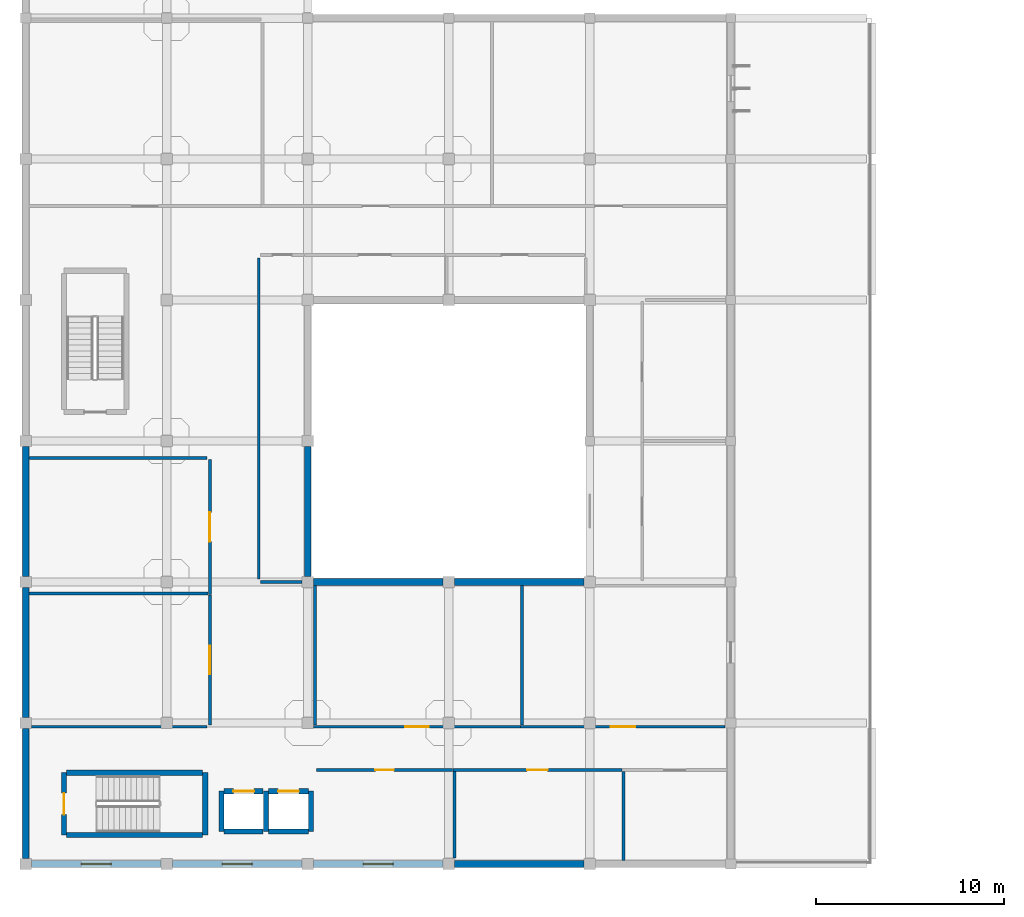
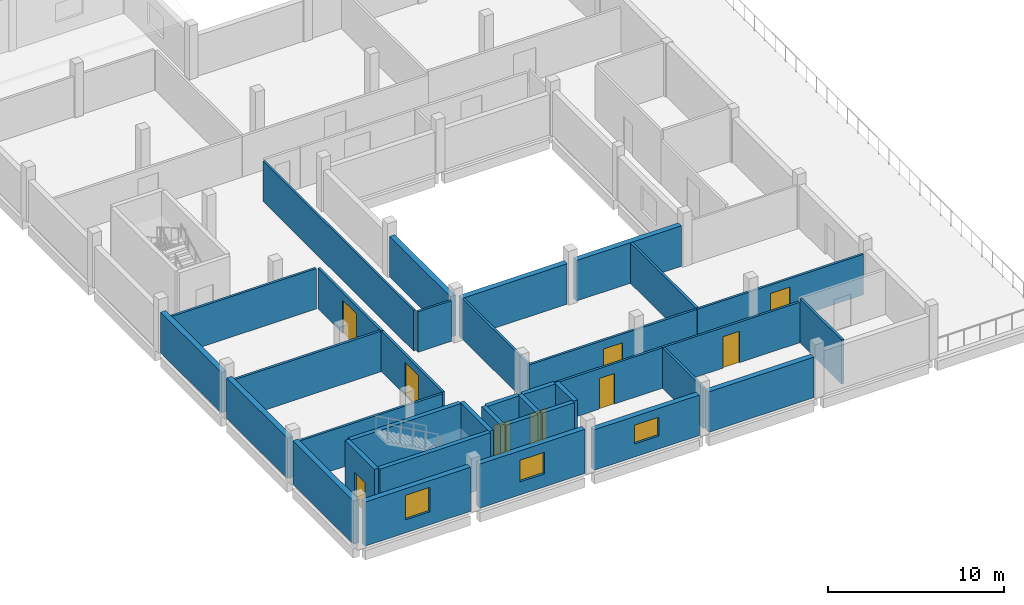
# One storey, part 5 of 21: 36 walls, 9 doors, 3 windows, 12 openings.
"""IFC4 building model written with IfcOpenShell, lengths in metres."""

import ifcopenshell
import ifcopenshell.guid

model = None  # the IFC model being written
_history = None  # IfcOwnerHistory: only IFC2X3 demands one
_inside = {}  # id of a spatial element -> (the spatial element, [elements in it])
_under = {}  # id of a project, library or spatial element -> (it, [spatial elements below it])
_declared = {}  # id of a project -> (the project, [libraries it declares])
_typed = {}  # id of a type object -> (the type object, [elements of that type])
_made_of = {}  # id of a material, layer set ... -> (it, [elements and type objects made of it])


def new_model(schema):
    """Start an empty IFC model of exactly this schema.

    Asked for "IFC4X3", IfcOpenShell would pick the latest addendum, in which some entities
    have other attributes; the version numbers below select the first issue.
    IFC2X3 requires an IfcOwnerHistory on every rooted entity: one is made here for all.
    """
    global model, _history
    if schema == "IFC4X3":
        model = ifcopenshell.file(schema_version=(4, 3, 0, 0))
    else:
        model = ifcopenshell.file(schema=schema)
    _inside.clear()
    _under.clear()
    _declared.clear()
    _typed.clear()
    _made_of.clear()
    _history = None
    if model.schema == "IFC2X3":
        org = make("IfcOrganization", Name="unknown")
        user = make(
            "IfcPersonAndOrganization",
            ThePerson=make("IfcPerson", FamilyName="unknown"),
            TheOrganization=org,
        )
        app = make(
            "IfcApplication",
            ApplicationDeveloper=org,
            Version="unknown",
            ApplicationFullName="unknown",
            ApplicationIdentifier="unknown",
        )
        _history = make(
            "IfcOwnerHistory",
            OwningUser=user,
            OwningApplication=app,
            ChangeAction="ADDED",
            CreationDate=0,
        )
    return model


def make(cls, **values):
    """One entity of the class cls with the attributes given. An attribute that is None is left unset."""
    return model.create_entity(
        cls, **{name: value for name, value in values.items() if value is not None}
    )


def rooted(cls, **values):
    """An entity with a GlobalId (a new one), such as an element, a storey or a relation."""
    return make(cls, GlobalId=ifcopenshell.guid.new(), OwnerHistory=_history, **values)


def si_unit(unit_type, name, prefix=None):
    """IfcSIUnit, for example si_unit("LENGTHUNIT", "METRE", prefix="MILLI")."""
    return make("IfcSIUnit", UnitType=unit_type, Prefix=prefix, Name=name)


def assignment(units):
    """IfcUnitAssignment: the units of a project."""
    return None if units is None else make("IfcUnitAssignment", Units=units)


def point(xyz):
    """IfcCartesianPoint."""
    return None if xyz is None else make("IfcCartesianPoint", Coordinates=xyz)


def direction(xyz):
    """IfcDirection."""
    return None if xyz is None else make("IfcDirection", DirectionRatios=xyz)


def frame(location, z_axis=None, x_axis=None):
    """IfcAxis2Placement3D, a coordinate frame: its origin and axes. An axis left out is left unset."""
    return make(
        "IfcAxis2Placement3D",
        Location=point(location),
        Axis=direction(z_axis),
        RefDirection=direction(x_axis),
    )


def frame_2d(location, x_axis=None):
    """IfcAxis2Placement2D, a coordinate frame in the plane: its origin and x axis."""
    return make(
        "IfcAxis2Placement2D", Location=point(location), RefDirection=direction(x_axis)
    )


def origin():
    """The frame at (0, 0, 0) with its axes left unset."""
    return frame((0.0, 0.0, 0.0))


def place(relative_to, where):
    """IfcLocalPlacement: puts the frame where relative to a parent placement (None: the world)."""
    return make(
        "IfcLocalPlacement", PlacementRelTo=relative_to, RelativePlacement=where
    )


def context(
    kind, dimensions, precision=None, world=None, true_north=None, identifier=None
):
    """IfcGeometricRepresentationContext, for example the 3D "Model" context."""
    return make(
        "IfcGeometricRepresentationContext",
        ContextIdentifier=identifier,
        ContextType=kind,
        CoordinateSpaceDimension=dimensions,
        Precision=precision,
        WorldCoordinateSystem=world,
        TrueNorth=true_north,
    )


def subcontext(parent, identifier, kind, view, scale=None):
    """IfcGeometricRepresentationSubContext, for example "Body" below "Model"."""
    return make(
        "IfcGeometricRepresentationSubContext",
        ContextIdentifier=identifier,
        ContextType=kind,
        ParentContext=parent,
        TargetScale=scale,
        TargetView=view,
    )


def project(units=None, contexts=None):
    """IfcProject with its units and contexts."""
    return rooted(
        "IfcProject",
        Name="project",
        RepresentationContexts=contexts,
        UnitsInContext=assignment(units),
    )


def spatial(cls, under=None, at=None, **own):
    """A site, building, storey or space (cls), placed at a placement, below another one or the project."""
    s = rooted(cls, ObjectPlacement=at, **own)
    if under is not None:
        _under.setdefault(under.id(), (under, []))[1].append(s)
    return s


def profile(cls, at=None, kind="AREA", **sizes):
    """A parametric profile (cls). Its sizes go by their IFC names, for example OverallWidth=200.0."""
    return make(cls, ProfileType=kind, Position=at, **sizes)


def rectangle(**sizes):
    """IfcRectangleProfileDef."""
    return profile("IfcRectangleProfileDef", **sizes)


def extrude(swept, where, along, depth):
    """IfcExtrudedAreaSolid: the profile swept, set in the frame where, extruded along a direction by depth."""
    return make(
        "IfcExtrudedAreaSolid",
        SweptArea=swept,
        Position=where,
        ExtrudedDirection=direction(along),
        Depth=depth,
    )


def shape(context_of_items, identifier, shape_type, items):
    """IfcShapeRepresentation: the items that make up one representation, for example the "Body"."""
    return make(
        "IfcShapeRepresentation",
        ContextOfItems=context_of_items,
        RepresentationIdentifier=identifier,
        RepresentationType=shape_type,
        Items=items,
    )


def material(Name=None, Category=None):
    """IfcMaterial."""
    return make("IfcMaterial", Name=Name, Category=Category)


def layer(
    of_material, thickness, ventilated=None, Name=None, Category=None, Priority=None
):
    """IfcMaterialLayer: one layer of a wall or slab, of a material (None: an air gap)."""
    return make(
        "IfcMaterialLayer",
        Material=of_material,
        LayerThickness=thickness,
        IsVentilated=ventilated,
        Name=Name,
        Category=Category,
        Priority=Priority,
    )


def layer_set(layers, Name=None):
    """IfcMaterialLayerSet."""
    return make("IfcMaterialLayerSet", MaterialLayers=layers, LayerSetName=Name)


def made_of(thing, what):
    """Note that an element or type object is made of a material, layer set ...; save() writes the relation."""
    if what is not None:
        _made_of.setdefault(what.id(), (what, []))[1].append(thing)
    return thing


def type_object(cls, material=None, **own):
    """A type object (cls), such as IfcWallType, which elements share."""
    return made_of(rooted(cls, **own), material)


def element(
    cls,
    number,
    at=None,
    inside=None,
    cuts=None,
    type_object=None,
    material=None,
    context=None,
    identifier="Body",
    shape_type=None,
    held_by="IfcProductDefinitionShape",
    body=None,
    shapes=None,
    **own,
):
    """One element of the class cls, such as IfcWall. Its Tag is "e" and its number.

    at: its placement. inside: the storey or other place that contains it. cuts: it is an
    opening in that element (IfcRelVoidsElement). A single representation is given by context,
    identifier, shape_type and body (its items); several are given by shapes. held_by: the class
    of the entity that holds the representations. save() writes the other relations.
    """
    e = rooted(cls, Tag="e%d" % number, ObjectPlacement=at, **own)
    if body is not None:
        shapes = [shape(context, identifier, shape_type, body)]
    if shapes is not None:
        e.Representation = make(held_by, Representations=shapes)
    if inside is not None:
        _inside.setdefault(inside.id(), (inside, []))[1].append(e)
    if cuts is not None:
        rooted(
            "IfcRelVoidsElement", RelatingBuildingElement=cuts, RelatedOpeningElement=e
        )
    if type_object is not None:
        _typed.setdefault(type_object.id(), (type_object, []))[1].append(e)
    return made_of(e, material)


def fill(opening, filler):
    """IfcRelFillsElement: the door or window that sits in an opening."""
    return rooted(
        "IfcRelFillsElement",
        RelatingOpeningElement=opening,
        RelatedBuildingElement=filler,
    )


def aggregate(whole, parts):
    """IfcRelAggregates: a whole, such as a stair, and the parts it consists of."""
    return rooted("IfcRelAggregates", RelatingObject=whole, RelatedObjects=parts)


def save(model, path):
    """Write the relations noted so far, then the file.

    IfcRelAggregates (storeys below a building ...), IfcRelContainedInSpatialStructure (elements
    in a storey), IfcRelDefinesByType, IfcRelAssociatesMaterial and IfcRelDeclares: one each for
    every whole, place, type object, material and project.
    """
    for whole, parts in _under.values():
        aggregate(whole, parts)
    for where, things in _inside.values():
        rooted(
            "IfcRelContainedInSpatialStructure",
            RelatedElements=things,
            RelatingStructure=where,
        )
    for kind, things in _typed.values():
        rooted("IfcRelDefinesByType", RelatedObjects=things, RelatingType=kind)
    for what, things in _made_of.values():
        rooted("IfcRelAssociatesMaterial", RelatedObjects=things, RelatingMaterial=what)
    for by, libraries in _declared.values():
        rooted("IfcRelDeclares", RelatingContext=by, RelatedDefinitions=libraries)
    model.write(path)


model = new_model("IFC4")

# Units and contexts
model_context = context("Model", 3, precision=1e-05, world=origin(), true_north=direction((0.0, 1.0)))
body_context = subcontext(model_context, "Body", "Model", "MODEL_VIEW")
ifc_project = project(units=[si_unit("LENGTHUNIT", "METRE"), si_unit("AREAUNIT", "SQUARE_METRE"), si_unit("VOLUMEUNIT", "CUBIC_METRE"), si_unit("PLANEANGLEUNIT", "RADIAN"), si_unit("MASSUNIT", "GRAM", prefix="KILO")], contexts=[model_context])

# Site, building, storey
site_placement = place(None, origin())
site = spatial("IfcSite", under=ifc_project, at=site_placement, CompositionType="ELEMENT")
building_placement = place(site_placement, origin())
building = spatial("IfcBuilding", under=site, at=building_placement, Name="Mawjan Specialist Oncology Clinic", CompositionType="ELEMENT")
storey_placement = place(building_placement, frame((0.0, 0.0, 13.5)))
storey = spatial("IfcBuildingStorey", under=building, at=storey_placement, Name="L03", CompositionType="ELEMENT", Elevation=13.5)

# Wall
ifc_material_1 = material(Name="Precast concrete C40/50", Category="concrete")
ifc_layer_1 = layer(ifc_material_1, 0.35009765625, Name="Precast concrete C40/50", Category="concrete")
ifc_layer_set_1 = layer_set([ifc_layer_1], Name="Precast concrete C40/50")
wall_type_1 = type_object("IfcWallType", Name="EW-350", PredefinedType="SOLIDWALL", material=ifc_layer_set_1)
wall_1_placement = place(storey_placement, frame((29.699951171875, 0.800048828125, 0.0), z_axis=(0.0, 0.0, 1.0), x_axis=(-1.0, 0.0, 0.0)))
element("IfcWall", 1, at=wall_1_placement, inside=storey, type_object=wall_type_1, Name="L03 Coral-Limestone Exterior Wall EW-L03-280", PredefinedType="SOLIDWALL", context=body_context, shape_type="SweptSolid", body=[
    extrude(rectangle(XDim=6.89990234375, YDim=0.35009765625, at=frame_2d((3.449951171875, 0.0))), origin(), (0.0, 0.0, 1.0), 2.804931640625),
])

# Wall, opening, window
wall_2_placement = place(storey_placement, frame((22.199951171875, 0.800048828125, 0.0), z_axis=(0.0, 0.0, 1.0), x_axis=(-1.0, 0.0, 0.0)))
wall_2 = element("IfcWall", 2, at=wall_2_placement, inside=storey, type_object=wall_type_1, Name="L03 Coral-Limestone Exterior Wall EW-L03-281", PredefinedType="SOLIDWALL", context=body_context, shape_type="SweptSolid", body=[
    extrude(rectangle(XDim=6.89990234375, YDim=0.35009765625, at=frame_2d((3.449951171875, 0.0))), origin(), (0.0, 0.0, 1.0), 2.804931640625),
])
opening_1_placement = place(wall_2_placement, frame((2.64990234375, 0.0, 0.89990234375)))
opening_1 = element("IfcOpeningElement", 3, at=opening_1_placement, cuts=wall_2, Name="Opening WN-17", PredefinedType="OPENING", context=body_context, shape_type="SweptSolid", body=[
    extrude(rectangle(XDim=1.60009765625, YDim=1.300048828125, at=frame_2d((0.800048828125, 0.64990234375))), frame((0.0, 0.18701171875, 0.0), z_axis=(0.0, -1.0, 0.0), x_axis=(1.0, 0.0, 0.0)), (0.0, 0.0, 1.0), 0.3740234375),
])
ifc_material_2 = material(Name="Thermally broken low-E clinical aluminium window", Category="aluminium")
window_type_1 = type_object("IfcWindowType", Name="WN-17", PartitioningType="DOUBLE_PANEL_VERTICAL", PredefinedType="WINDOW", material=ifc_material_2)
window_1_placement = place(opening_1_placement, origin())
window_1 = element("IfcWindow", 4, at=window_1_placement, inside=storey, type_object=window_type_1, Name="L03 Clinical Low-E Window 053", OverallHeight=1.300048828125, OverallWidth=1.60009765625, PartitioningType="DOUBLE_PANEL_VERTICAL", PredefinedType="WINDOW", context=body_context, shape_type="SweptSolid", body=[
    extrude(rectangle(XDim=1.60009765625, YDim=1.300048828125, at=frame_2d((0.800048828125, 0.64990234375))), frame((0.0, 0.030029296875, 0.0), z_axis=(0.0, -1.0, 0.0), x_axis=(1.0, 0.0, 0.0)), (0.0, 0.0, 1.0), 0.06005859375),
])
fill(opening_1, window_1)

wall_3_placement = place(storey_placement, frame((14.699951171875, 0.800048828125, 0.0), z_axis=(0.0, 0.0, 1.0), x_axis=(-1.0, 0.0, 0.0)))
wall_3 = element("IfcWall", 5, at=wall_3_placement, inside=storey, type_object=wall_type_1, Name="L03 Coral-Limestone Exterior Wall EW-L03-282", PredefinedType="SOLIDWALL", context=body_context, shape_type="SweptSolid", body=[
    extrude(rectangle(XDim=6.89990234375, YDim=0.35009765625, at=frame_2d((3.449951171875, 0.0))), origin(), (0.0, 0.0, 1.0), 3.054931640625),
])
opening_2_placement = place(wall_3_placement, frame((2.64990234375, 0.0, 0.89990234375)))
opening_2 = element("IfcOpeningElement", 6, at=opening_2_placement, cuts=wall_3, Name="Opening WN-18", PredefinedType="OPENING", context=body_context, shape_type="SweptSolid", body=[
    extrude(rectangle(XDim=1.60009765625, YDim=1.5, at=frame_2d((0.800048828125, 0.75))), frame((0.0, 0.18701171875, 0.0), z_axis=(0.0, -1.0, 0.0), x_axis=(1.0, 0.0, 0.0)), (0.0, 0.0, 1.0), 0.3740234375),
])
ifc_material_3 = material(Name="Thermally broken low-E clinical aluminium window", Category="aluminium")
window_type_2 = type_object("IfcWindowType", Name="WN-18", PartitioningType="DOUBLE_PANEL_VERTICAL", PredefinedType="WINDOW", material=ifc_material_3)
window_2_placement = place(opening_2_placement, origin())
window_2 = element("IfcWindow", 7, at=window_2_placement, inside=storey, type_object=window_type_2, Name="L03 Clinical Low-E Window 054", OverallHeight=1.5, OverallWidth=1.60009765625, PartitioningType="DOUBLE_PANEL_VERTICAL", PredefinedType="WINDOW", context=body_context, shape_type="SweptSolid", body=[
    extrude(rectangle(XDim=1.60009765625, YDim=1.5, at=frame_2d((0.800048828125, 0.75))), frame((0.0, 0.030029296875, 0.0), z_axis=(0.0, -1.0, 0.0), x_axis=(1.0, 0.0, 0.0)), (0.0, 0.0, 1.0), 0.06005859375),
])
fill(opening_2, window_2)

wall_4_placement = place(storey_placement, frame((7.199951171875, 0.800048828125, 0.0), z_axis=(0.0, 0.0, 1.0), x_axis=(-1.0, 0.0, 0.0)))
wall_4 = element("IfcWall", 8, at=wall_4_placement, inside=storey, type_object=wall_type_1, Name="L03 Coral-Limestone Exterior Wall EW-L03-283", PredefinedType="SOLIDWALL", context=body_context, shape_type="SweptSolid", body=[
    extrude(rectangle(XDim=6.89990234375, YDim=0.35009765625, at=frame_2d((3.449951171875, 0.0))), origin(), (0.0, 0.0, 1.0), 3.054931640625),
])
opening_3_placement = place(wall_4_placement, frame((2.64990234375, 0.0, 0.89990234375)))
opening_3 = element("IfcOpeningElement", 9, at=opening_3_placement, cuts=wall_4, Name="Opening WN-19", PredefinedType="OPENING", context=body_context, shape_type="SweptSolid", body=[
    extrude(rectangle(XDim=1.60009765625, YDim=1.699951171875, at=frame_2d((0.800048828125, 0.85009765625))), frame((0.0, 0.18701171875, 0.0), z_axis=(0.0, -1.0, 0.0), x_axis=(1.0, 0.0, 0.0)), (0.0, 0.0, 1.0), 0.3740234375),
])
ifc_material_4 = material(Name="Thermally broken low-E clinical aluminium window", Category="aluminium")
window_type_3 = type_object("IfcWindowType", Name="WN-19", PartitioningType="DOUBLE_PANEL_VERTICAL", PredefinedType="WINDOW", material=ifc_material_4)
window_3_placement = place(opening_3_placement, origin())
window_3 = element("IfcWindow", 10, at=window_3_placement, inside=storey, type_object=window_type_3, Name="L03 Clinical Low-E Window 055", OverallHeight=1.699951171875, OverallWidth=1.60009765625, PartitioningType="DOUBLE_PANEL_VERTICAL", PredefinedType="WINDOW", context=body_context, shape_type="SweptSolid", body=[
    extrude(rectangle(XDim=1.60009765625, YDim=1.699951171875, at=frame_2d((0.800048828125, 0.85009765625))), frame((0.0, 0.030029296875, 0.0), z_axis=(0.0, -1.0, 0.0), x_axis=(1.0, 0.0, 0.0)), (0.0, 0.0, 1.0), 0.06005859375),
])
fill(opening_3, window_3)

# Walls
wall_5_placement = place(storey_placement, frame((0.0, 1.10009765625, 0.0), z_axis=(0.0, 0.0, 1.0), x_axis=(0.0, 1.0, 0.0)))
element("IfcWall", 11, at=wall_5_placement, inside=storey, type_object=wall_type_1, Name="L03 Coral-Limestone Exterior Wall EW-L03-284", PredefinedType="SOLIDWALL", context=body_context, shape_type="SweptSolid", body=[
    extrude(rectangle(XDim=6.89990234375, YDim=0.35009765625, at=frame_2d((3.449951171875, 0.0))), origin(), (0.0, 0.0, 1.0), 3.0048828125),
])
for number, where, z_axis, x_axis, name in (
    (12, (0.0, 8.60009765625, 0.0), (0.0, 0.0, 1.0), (0.0, 1.0, 0.0), "L03 Coral-Limestone Exterior Wall EW-L03-285"),
    (13, (0.0, 16.10009765625, 0.0), (0.0, 0.0, 1.0), (0.0, 1.0, 0.0), "L03 Coral-Limestone Exterior Wall EW-L03-286"),
    (14, (15.300048828125, 15.800048828125, 0.0), (0.0, 0.0, 1.0), (1.0, 0.0, 0.0), "L03 Coral-Limestone Exterior Wall EW-L03-294"),
    (15, (22.800048828125, 15.800048828125, 0.0), (0.0, 0.0, 1.0), (1.0, 0.0, 0.0), "L03 Coral-Limestone Exterior Wall EW-L03-295"),
    (16, (15.0, 23.0, 0.0), (0.0, 0.0, 1.0), (0.0, -1.0, 0.0), "L03 Coral-Limestone Exterior Wall EW-L03-301"),
):
    element("IfcWall", number, at=place(storey_placement, frame(where, z_axis=z_axis, x_axis=x_axis)), inside=storey, type_object=wall_type_1, Name=name, PredefinedType="SOLIDWALL", context=body_context, shape_type="SweptSolid", body=[
        extrude(rectangle(XDim=6.89990234375, YDim=0.35009765625, at=frame_2d((3.449951171875, 0.0))), origin(), (0.0, 0.0, 1.0), 2.804931640625),
    ])
ifc_material_5 = material(Name="Concrete C45/55", Category="concrete")
ifc_layer_2 = layer(ifc_material_5, 0.280029296875, Name="Concrete C45/55", Category="concrete")
ifc_layer_set_2 = layer_set([ifc_layer_2], Name="Concrete C45/55")
wall_type_2 = type_object("IfcWallType", Name="SW-300", PredefinedType="SHEAR", material=ifc_layer_set_2)
wall_6_placement = place(storey_placement, frame((2.18505859375, 2.340087890625, 0.0), z_axis=(0.0, 0.0, 1.0), x_axis=(1.0, 0.0, 0.0)))
element("IfcWall", 17, at=wall_6_placement, inside=storey, type_object=wall_type_2, Name="L03 Core K1 Stair Shear Wall 1", PredefinedType="SHEAR", context=body_context, shape_type="SweptSolid", body=[
    extrude(rectangle(XDim=7.22998046875, YDim=0.280029296875, at=frame_2d((3.614990234375, 0.0))), origin(), (0.0, 0.0, 1.0), 3.719970703125),
])
wall_7_placement = place(storey_placement, frame((9.56005859375, 2.340087890625, 0.0), z_axis=(0.0, 0.0, 1.0), x_axis=(0.0, 1.0, 0.0)))
element("IfcWall", 18, at=wall_7_placement, inside=storey, type_object=wall_type_2, Name="L03 Core K1 Stair Shear Wall 2", PredefinedType="SHEAR", context=body_context, shape_type="SweptSolid", body=[
    extrude(rectangle(XDim=3.31982421875, YDim=0.280029296875, at=frame_2d((1.659912109375, 0.0))), origin(), (0.0, 0.0, 1.0), 3.719970703125),
])
wall_8_placement = place(storey_placement, frame((9.4150390625, 5.659912109375, 0.0), z_axis=(0.0, 0.0, 1.0), x_axis=(-1.0, 0.0, 0.0)))
element("IfcWall", 19, at=wall_8_placement, inside=storey, type_object=wall_type_2, Name="L03 Core K1 Stair Shear Wall 3", PredefinedType="SHEAR", context=body_context, shape_type="SweptSolid", body=[
    extrude(rectangle(XDim=7.22998046875, YDim=0.280029296875, at=frame_2d((3.614990234375, 0.0))), origin(), (0.0, 0.0, 1.0), 3.719970703125),
])

# Wall, opening, door
wall_9_placement = place(storey_placement, frame((2.0400390625, 5.659912109375, 0.0), z_axis=(0.0, 0.0, 1.0), x_axis=(0.0, -1.0, 0.0)))
wall_9 = element("IfcWall", 20, at=wall_9_placement, inside=storey, type_object=wall_type_2, Name="L03 Core K1 Stair Shear Wall 4", PredefinedType="SHEAR", context=body_context, shape_type="SweptSolid", body=[
    extrude(rectangle(XDim=3.31982421875, YDim=0.280029296875, at=frame_2d((1.659912109375, 0.0))), origin(), (0.0, 0.0, 1.0), 3.719970703125),
])
opening_4_placement = place(wall_9_placement, frame((1.0849609375, 0.0, 0.0)))
opening_4 = element("IfcOpeningElement", 21, at=opening_4_placement, cuts=wall_9, Name="Opening FD-90", PredefinedType="OPENING", context=body_context, shape_type="SweptSolid", body=[
    extrude(rectangle(XDim=1.14990234375, YDim=2.14990234375, at=frame_2d((0.574951171875, 1.074951171875))), frame((0.0, 0.152099609375, 0.0), z_axis=(0.0, -1.0, 0.0), x_axis=(1.0, 0.0, 0.0)), (0.0, 0.0, 1.0), 0.303955078125),
])
ifc_material_6 = material(Name="Stainless-steel fire-rated hospital door", Category="steel")
door_type_1 = type_object("IfcDoorType", Name="FD-90", OperationType="NOTDEFINED", PredefinedType="DOOR", material=ifc_material_6)
door_1_placement = place(opening_4_placement, origin())
door_1 = element("IfcDoor", 22, at=door_1_placement, inside=storey, type_object=door_type_1, Name="L03 ST-01 Fire Exit Stair Door", OperationType="SINGLE_SWING_RIGHT", OverallHeight=2.14990234375, OverallWidth=1.14990234375, PredefinedType="DOOR", context=body_context, shape_type="SweptSolid", body=[
    extrude(rectangle(XDim=1.14990234375, YDim=2.14990234375, at=frame_2d((0.574951171875, 1.074951171875))), frame((0.0, 0.02490234375, 0.0), z_axis=(0.0, -1.0, 0.0), x_axis=(1.0, 0.0, 0.0)), (0.0, 0.0, 1.0), 0.050048828125),
])
fill(opening_4, door_1)

# Walls
wall_10_placement = place(storey_placement, frame((10.5615234375, 2.529296875, 0.0), z_axis=(0.0, 0.0, 1.0), x_axis=(1.0, 0.0, 0.0)))
element("IfcWall", 23, at=wall_10_placement, inside=storey, type_object=wall_type_2, Name="L03 LF-03 Hoistway Wall 1", PredefinedType="SHEAR", context=body_context, shape_type="SweptSolid", body=[
    extrude(rectangle(XDim=2.076904296875, YDim=0.280029296875, at=frame_2d((1.03857421875, 0.0))), origin(), (0.0, 0.0, 1.0), 3.719970703125),
])
wall_11_placement = place(storey_placement, frame((12.783447265625, 2.529296875, 0.0), z_axis=(0.0, 0.0, 1.0), x_axis=(0.0, 1.0, 0.0)))
element("IfcWall", 24, at=wall_11_placement, inside=storey, type_object=wall_type_2, Name="L03 LF-03 Hoistway Wall 2", PredefinedType="SHEAR", context=body_context, shape_type="SweptSolid", body=[
    extrude(rectangle(XDim=2.141357421875, YDim=0.280029296875, at=frame_2d((1.07080078125, 0.0))), origin(), (0.0, 0.0, 1.0), 3.719970703125),
])

# Wall, opening, door
wall_12_placement = place(storey_placement, frame((12.638427734375, 4.670654296875, 0.0), z_axis=(0.0, 0.0, 1.0), x_axis=(-1.0, 0.0, 0.0)))
wall_12 = element("IfcWall", 25, at=wall_12_placement, inside=storey, type_object=wall_type_2, Name="L03 LF-03 Hoistway Wall 3", PredefinedType="SHEAR", context=body_context, shape_type="SweptSolid", body=[
    extrude(rectangle(XDim=2.076904296875, YDim=0.280029296875, at=frame_2d((1.03857421875, 0.0))), origin(), (0.0, 0.0, 1.0), 3.719970703125),
])
opening_5_placement = place(wall_12_placement, frame((0.488525390625, 0.0, 0.0)))
opening_5 = element("IfcOpeningElement", 26, at=opening_5_placement, cuts=wall_12, Name="Opening LD-03-L03", PredefinedType="OPENING", context=body_context, shape_type="SweptSolid", body=[
    extrude(rectangle(XDim=1.10009765625, YDim=2.14990234375, at=frame_2d((0.550048828125, 1.074951171875))), frame((0.0, 0.152099609375, 0.0), z_axis=(0.0, -1.0, 0.0), x_axis=(1.0, 0.0, 0.0)), (0.0, 0.0, 1.0), 0.303955078125),
])
ifc_material_7 = material(Name="Stainless-steel fire-rated hospital door", Category="steel")
door_type_2 = type_object("IfcDoorType", Name="LD-110", OperationType="SLIDING_TO_RIGHT", PredefinedType="DOOR", material=ifc_material_7)
door_2_placement = place(opening_5_placement, origin())
door_2 = element("IfcDoor", 27, at=door_2_placement, inside=storey, type_object=door_type_2, Name="L03 LF-03 Sliding Lift Landing Door", OperationType="SLIDING_TO_LEFT", OverallHeight=2.14990234375, OverallWidth=1.10009765625, PredefinedType="DOOR", context=body_context, shape_type="SweptSolid", body=[
    extrude(rectangle(XDim=1.10009765625, YDim=2.14990234375, at=frame_2d((0.550048828125, 1.074951171875))), frame((0.0, 0.02490234375, 0.0), z_axis=(0.0, -1.0, 0.0), x_axis=(1.0, 0.0, 0.0)), (0.0, 0.0, 1.0), 0.050048828125),
])
fill(opening_5, door_2)

# Walls
wall_13_placement = place(storey_placement, frame((10.41650390625, 4.670654296875, 0.0), z_axis=(0.0, 0.0, 1.0), x_axis=(0.0, -1.0, 0.0)))
element("IfcWall", 28, at=wall_13_placement, inside=storey, type_object=wall_type_2, Name="L03 LF-03 Hoistway Wall 4", PredefinedType="SHEAR", context=body_context, shape_type="SweptSolid", body=[
    extrude(rectangle(XDim=2.141357421875, YDim=0.280029296875, at=frame_2d((1.07080078125, 0.0))), origin(), (0.0, 0.0, 1.0), 3.719970703125),
])
wall_14_placement = place(storey_placement, frame((12.928466796875, 2.529296875, 0.0), z_axis=(0.0, 0.0, 1.0), x_axis=(1.0, 0.0, 0.0)))
element("IfcWall", 29, at=wall_14_placement, inside=storey, type_object=wall_type_2, Name="L03 LF-04 Hoistway Wall 1", PredefinedType="SHEAR", context=body_context, shape_type="SweptSolid", body=[
    extrude(rectangle(XDim=2.110107421875, YDim=0.280029296875, at=frame_2d((1.05517578125, 0.0))), origin(), (0.0, 0.0, 1.0), 3.719970703125),
])
wall_15_placement = place(storey_placement, frame((15.18359375, 2.529296875, 0.0), z_axis=(0.0, 0.0, 1.0), x_axis=(0.0, 1.0, 0.0)))
element("IfcWall", 30, at=wall_15_placement, inside=storey, type_object=wall_type_2, Name="L03 LF-04 Hoistway Wall 2", PredefinedType="SHEAR", context=body_context, shape_type="SweptSolid", body=[
    extrude(rectangle(XDim=2.141357421875, YDim=0.280029296875, at=frame_2d((1.07080078125, 0.0))), origin(), (0.0, 0.0, 1.0), 3.719970703125),
])

# Wall, opening, door
wall_16_placement = place(storey_placement, frame((15.03857421875, 4.670654296875, 0.0), z_axis=(0.0, 0.0, 1.0), x_axis=(-1.0, 0.0, 0.0)))
wall_16 = element("IfcWall", 31, at=wall_16_placement, inside=storey, type_object=wall_type_2, Name="L03 LF-04 Hoistway Wall 3", PredefinedType="SHEAR", context=body_context, shape_type="SweptSolid", body=[
    extrude(rectangle(XDim=2.110107421875, YDim=0.280029296875, at=frame_2d((1.05517578125, 0.0))), origin(), (0.0, 0.0, 1.0), 3.719970703125),
])
opening_6_placement = place(wall_16_placement, frame((0.5048828125, 0.0, 0.0)))
opening_6 = element("IfcOpeningElement", 32, at=opening_6_placement, cuts=wall_16, Name="Opening LD-04-L03", PredefinedType="OPENING", context=body_context, shape_type="SweptSolid", body=[
    extrude(rectangle(XDim=1.10009765625, YDim=2.14990234375, at=frame_2d((0.550048828125, 1.074951171875))), frame((0.0, 0.152099609375, 0.0), z_axis=(0.0, -1.0, 0.0), x_axis=(1.0, 0.0, 0.0)), (0.0, 0.0, 1.0), 0.303955078125),
])
door_3_placement = place(opening_6_placement, origin())
door_3 = element("IfcDoor", 33, at=door_3_placement, inside=storey, type_object=door_type_2, Name="L03 LF-04 Sliding Lift Landing Door", OperationType="SLIDING_TO_RIGHT", OverallHeight=2.14990234375, OverallWidth=1.10009765625, PredefinedType="DOOR", context=body_context, shape_type="SweptSolid", body=[
    extrude(rectangle(XDim=1.10009765625, YDim=2.14990234375, at=frame_2d((0.550048828125, 1.074951171875))), frame((0.0, 0.02490234375, 0.0), z_axis=(0.0, -1.0, 0.0), x_axis=(1.0, 0.0, 0.0)), (0.0, 0.0, 1.0), 0.050048828125),
])
fill(opening_6, door_3)

# Wall
ifc_material_8 = material(Name="Moisture-resistant washroom partition", Category="gypsum")
ifc_layer_3 = layer(ifc_material_8, 0.125, Name="Moisture-resistant washroom partition", Category="gypsum")
ifc_layer_set_3 = layer_set([ifc_layer_3], Name="Moisture-resistant washroom partition")
wall_type_3 = type_object("IfcWallType", Name="WP-125", PredefinedType="PARTITIONING", material=ifc_layer_set_3)
wall_17_placement = place(storey_placement, frame((12.39990234375, 15.965087890625, 0.0), z_axis=(0.0, 0.0, 1.0), x_axis=(0.0, 1.0, 0.0)))
element("IfcWall", 34, at=wall_17_placement, inside=storey, type_object=wall_type_3, Name="L03 Interior Partition W-INT-L03-0341-D0", PredefinedType="PARTITIONING", context=body_context, shape_type="SweptSolid", body=[
    extrude(rectangle(XDim=17.06982421875, YDim=0.125, at=frame_2d((8.534912109375, 0.0))), origin(), (0.0, 0.0, 1.0), 2.804931640625),
])

# Wall, opening, door
ifc_material_9 = material(Name="Acoustic gypsum clinical partition", Category="gypsum")
ifc_layer_4 = layer(ifc_material_9, 0.14990234375, Name="Acoustic gypsum clinical partition", Category="gypsum")
ifc_layer_set_4 = layer_set([ifc_layer_4], Name="Acoustic gypsum clinical partition")
wall_type_4 = type_object("IfcWallType", Name="WP-150", PredefinedType="PARTITIONING", material=ifc_layer_set_4)
wall_18_placement = place(storey_placement, frame((15.485107421875, 5.800048828125, 0.0), z_axis=(0.0, 0.0, 1.0), x_axis=(1.0, 0.0, 0.0)))
wall_18 = element("IfcWall", 35, at=wall_18_placement, inside=storey, type_object=wall_type_4, Name="L03 Interior Partition W-INT-L03-301-C", PredefinedType="PARTITIONING", context=body_context, shape_type="SweptSolid", body=[
    extrude(rectangle(XDim=7.22998046875, YDim=0.14990234375, at=frame_2d((3.614990234375, 0.0))), origin(), (0.0, 0.0, 1.0), 2.804931640625),
])
opening_7_placement = place(wall_18_placement, frame((3.125, 0.0, 0.0)))
opening_7 = element("IfcOpeningElement", 36, at=opening_7_placement, cuts=wall_18, Name="Opening DI-98", PredefinedType="OPENING", context=body_context, shape_type="SweptSolid", body=[
    extrude(rectangle(XDim=0.97998046875, YDim=2.1201171875, at=frame_2d((0.489990234375, 1.06005859375))), frame((0.0, 0.0869140625, 0.0), z_axis=(0.0, -1.0, 0.0), x_axis=(1.0, 0.0, 0.0)), (0.0, 0.0, 1.0), 0.173828125),
])
ifc_material_10 = material(Name="Acoustic laminate hospital door leaf", Category="wood")
door_type_3 = type_object("IfcDoorType", Name="DI-98", OperationType="NOTDEFINED", PredefinedType="DOOR", material=ifc_material_10)
door_4_placement = place(opening_7_placement, origin())
door_4 = element("IfcDoor", 37, at=door_4_placement, inside=storey, type_object=door_type_3, Name="L03 Hematology Oncology Exam Suite Door", OperationType="SINGLE_SWING_LEFT", OverallHeight=2.1201171875, OverallWidth=0.97998046875, PredefinedType="DOOR", context=body_context, shape_type="SweptSolid", body=[
    extrude(rectangle(XDim=0.97998046875, YDim=2.1201171875, at=frame_2d((0.489990234375, 1.06005859375))), frame((0.0, 0.02490234375, 0.0), z_axis=(0.0, -1.0, 0.0), x_axis=(1.0, 0.0, 0.0)), (0.0, 0.0, 1.0), 0.050048828125),
])
fill(opening_7, door_4)

wall_19_placement = place(storey_placement, frame((22.72705078125, 5.800048828125, 0.0), z_axis=(0.0, 0.0, 1.0), x_axis=(1.0, 0.0, 0.0)))
wall_19 = element("IfcWall", 38, at=wall_19_placement, inside=storey, type_object=wall_type_4, Name="L03 Interior Partition W-INT-L03-302-C", PredefinedType="PARTITIONING", context=body_context, shape_type="SweptSolid", body=[
    extrude(rectangle(XDim=8.988037109375, YDim=0.14990234375, at=frame_2d((4.494140625, 0.0))), origin(), (0.0, 0.0, 1.0), 2.804931640625),
])
opening_8_placement = place(wall_19_placement, frame((3.9541015625, 0.0, 0.0)))
opening_8 = element("IfcOpeningElement", 39, at=opening_8_placement, cuts=wall_19, Name="Opening DI-108", PredefinedType="OPENING", context=body_context, shape_type="SweptSolid", body=[
    extrude(rectangle(XDim=1.080078125, YDim=2.179931640625, at=frame_2d((0.5400390625, 1.08984375))), frame((0.0, 0.0869140625, 0.0), z_axis=(0.0, -1.0, 0.0), x_axis=(1.0, 0.0, 0.0)), (0.0, 0.0, 1.0), 0.173828125),
])
ifc_material_11 = material(Name="Acoustic laminate hospital door leaf", Category="wood")
door_type_4 = type_object("IfcDoorType", Name="DI-108", OperationType="NOTDEFINED", PredefinedType="DOOR", material=ifc_material_11)
door_5_placement = place(opening_8_placement, origin())
door_5 = element("IfcDoor", 40, at=door_5_placement, inside=storey, type_object=door_type_4, Name="L03 Bone Marrow Biopsy Treatment Room Door", OperationType="SINGLE_SWING_RIGHT", OverallHeight=2.179931640625, OverallWidth=1.080078125, PredefinedType="DOOR", context=body_context, shape_type="SweptSolid", body=[
    extrude(rectangle(XDim=1.080078125, YDim=2.179931640625, at=frame_2d((0.5400390625, 1.08984375))), frame((0.0, 0.02490234375, 0.0), z_axis=(0.0, -1.0, 0.0), x_axis=(1.0, 0.0, 0.0)), (0.0, 0.0, 1.0), 0.050048828125),
])
fill(opening_8, door_5)

wall_20_placement = place(storey_placement, frame((15.31201171875, 8.10009765625, 0.0), z_axis=(0.0, 0.0, 1.0), x_axis=(1.0, 0.0, 0.0)))
wall_20 = element("IfcWall", 41, at=wall_20_placement, inside=storey, type_object=wall_type_4, Name="L03 Interior Partition W-INT-L03-0321-C", PredefinedType="PARTITIONING", context=body_context, shape_type="SweptSolid", body=[
    extrude(rectangle(XDim=11.012939453125, YDim=0.14990234375, at=frame_2d((5.50634765625, 0.0))), origin(), (0.0, 0.0, 1.0), 2.804931640625),
])
opening_9_placement = place(wall_20_placement, frame((4.886474609375, 0.0, 0.0)))
opening_9 = element("IfcOpeningElement", 42, at=opening_9_placement, cuts=wall_20, Name="Opening DC-124", PredefinedType="OPENING", context=body_context, shape_type="SweptSolid", body=[
    extrude(rectangle(XDim=1.239990234375, YDim=2.199951171875, at=frame_2d((0.6201171875, 1.10009765625))), frame((0.0, 0.0869140625, 0.0), z_axis=(0.0, -1.0, 0.0), x_axis=(1.0, 0.0, 0.0)), (0.0, 0.0, 1.0), 0.173828125),
])
ifc_material_12 = material(Name="Acoustic laminate hospital door leaf", Category="wood")
door_type_5 = type_object("IfcDoorType", Name="DC-124", OperationType="NOTDEFINED", PredefinedType="DOOR", material=ifc_material_12)
door_6_placement = place(opening_9_placement, origin())
door_6 = element("IfcDoor", 43, at=door_6_placement, inside=storey, type_object=door_type_5, Name="L03 Specialist Diagnostic Exam Room Door", OperationType="SINGLE_SWING_LEFT", OverallHeight=2.199951171875, OverallWidth=1.239990234375, PredefinedType="DOOR", context=body_context, shape_type="SweptSolid", body=[
    extrude(rectangle(XDim=1.239990234375, YDim=2.199951171875, at=frame_2d((0.6201171875, 1.10009765625))), frame((0.0, 0.02490234375, 0.0), z_axis=(0.0, -1.0, 0.0), x_axis=(1.0, 0.0, 0.0)), (0.0, 0.0, 1.0), 0.050048828125),
])
fill(opening_9, door_6)

wall_21_placement = place(storey_placement, frame((26.3369140625, 8.10009765625, 0.0), z_axis=(0.0, 0.0, 1.0), x_axis=(1.0, 0.0, 0.0)))
wall_21 = element("IfcWall", 44, at=wall_21_placement, inside=storey, type_object=wall_type_4, Name="L03 Interior Partition W-INT-L03-0322-C", PredefinedType="PARTITIONING", context=body_context, shape_type="SweptSolid", body=[
    extrude(rectangle(XDim=10.8759765625, YDim=0.14990234375, at=frame_2d((5.43798828125, 0.0))), origin(), (0.0, 0.0, 1.0), 2.804931640625),
])
opening_10_placement = place(wall_21_placement, frame((4.798095703125, 0.0, 0.0)))
opening_10 = element("IfcOpeningElement", 45, at=opening_10_placement, cuts=wall_21, Name="Opening DC-128", PredefinedType="OPENING", context=body_context, shape_type="SweptSolid", body=[
    extrude(rectangle(XDim=1.280029296875, YDim=2.219970703125, at=frame_2d((0.64013671875, 1.10986328125))), frame((0.0, 0.0869140625, 0.0), z_axis=(0.0, -1.0, 0.0), x_axis=(1.0, 0.0, 0.0)), (0.0, 0.0, 1.0), 0.173828125),
])
ifc_material_13 = material(Name="Acoustic laminate hospital door leaf", Category="wood")
door_type_6 = type_object("IfcDoorType", Name="DC-128", OperationType="NOTDEFINED", PredefinedType="DOOR", material=ifc_material_13)
door_7_placement = place(opening_10_placement, origin())
door_7 = element("IfcDoor", 46, at=door_7_placement, inside=storey, type_object=door_type_6, Name="L03 Oncology Nurse Counseling Room Door", OperationType="SINGLE_SWING_RIGHT", OverallHeight=2.219970703125, OverallWidth=1.280029296875, PredefinedType="DOOR", context=body_context, shape_type="SweptSolid", body=[
    extrude(rectangle(XDim=1.280029296875, YDim=2.219970703125, at=frame_2d((0.64013671875, 1.10986328125))), frame((0.0, 0.02490234375, 0.0), z_axis=(0.0, -1.0, 0.0), x_axis=(1.0, 0.0, 0.0)), (0.0, 0.0, 1.0), 0.050048828125),
])
fill(opening_10, door_7)

wall_22_placement = place(storey_placement, frame((9.800048828125, 8.18505859375, 0.0), z_axis=(0.0, 0.0, 1.0), x_axis=(0.0, 1.0, 0.0)))
wall_22 = element("IfcWall", 47, at=wall_22_placement, inside=storey, type_object=wall_type_4, Name="L03 Interior Partition W-INT-L03-0331-V", PredefinedType="PARTITIONING", context=body_context, shape_type="SweptSolid", body=[
    extrude(rectangle(XDim=6.929931640625, YDim=0.14990234375, at=frame_2d((3.46484375, 0.0))), origin(), (0.0, 0.0, 1.0), 2.804931640625),
])
opening_11_placement = place(wall_22_placement, frame((2.715087890625, 0.0, 0.0)))
opening_11 = element("IfcOpeningElement", 48, at=opening_11_placement, cuts=wall_22, Name="Opening DC-150", PredefinedType="OPENING", context=body_context, shape_type="SweptSolid", body=[
    extrude(rectangle(XDim=1.5, YDim=2.280029296875, at=frame_2d((0.75, 1.14013671875))), frame((0.0, 0.0869140625, 0.0), z_axis=(0.0, -1.0, 0.0), x_axis=(1.0, 0.0, 0.0)), (0.0, 0.0, 1.0), 0.173828125),
])
ifc_material_14 = material(Name="Acoustic laminate hospital door leaf", Category="wood")
door_type_7 = type_object("IfcDoorType", Name="DC-150", OperationType="NOTDEFINED", PredefinedType="DOOR", material=ifc_material_14)
door_8_placement = place(opening_11_placement, origin())
door_8 = element("IfcDoor", 49, at=door_8_placement, inside=storey, type_object=door_type_7, Name="L03 Outpatient Consultation Room Door", OperationType="SINGLE_SWING_LEFT", OverallHeight=2.280029296875, OverallWidth=1.5, PredefinedType="DOOR", context=body_context, shape_type="SweptSolid", body=[
    extrude(rectangle(XDim=1.5, YDim=2.280029296875, at=frame_2d((0.75, 1.14013671875))), frame((0.0, 0.02490234375, 0.0), z_axis=(0.0, -1.0, 0.0), x_axis=(1.0, 0.0, 0.0)), (0.0, 0.0, 1.0), 0.050048828125),
])
fill(opening_11, door_8)

wall_23_placement = place(storey_placement, frame((9.800048828125, 15.126953125, 0.0), z_axis=(0.0, 0.0, 1.0), x_axis=(0.0, 1.0, 0.0)))
wall_23 = element("IfcWall", 50, at=wall_23_placement, inside=storey, type_object=wall_type_4, Name="L03 Interior Partition W-INT-L03-0332-V", PredefinedType="PARTITIONING", context=body_context, shape_type="SweptSolid", body=[
    extrude(rectangle(XDim=7.18798828125, YDim=0.14990234375, at=frame_2d((3.593994140625, 0.0))), origin(), (0.0, 0.0, 1.0), 2.804931640625),
])
opening_12_placement = place(wall_23_placement, frame((2.81396484375, 0.0, 0.0)))
opening_12 = element("IfcOpeningElement", 51, at=opening_12_placement, cuts=wall_23, Name="Opening DC-156", PredefinedType="OPENING", context=body_context, shape_type="SweptSolid", body=[
    extrude(rectangle(XDim=1.56005859375, YDim=2.300048828125, at=frame_2d((0.780029296875, 1.14990234375))), frame((0.0, 0.0869140625, 0.0), z_axis=(0.0, -1.0, 0.0), x_axis=(1.0, 0.0, 0.0)), (0.0, 0.0, 1.0), 0.173828125),
])
ifc_material_15 = material(Name="Acoustic laminate hospital door leaf", Category="wood")
door_type_8 = type_object("IfcDoorType", Name="DC-156", OperationType="NOTDEFINED", PredefinedType="DOOR", material=ifc_material_15)
door_9_placement = place(opening_12_placement, origin())
door_9 = element("IfcDoor", 52, at=door_9_placement, inside=storey, type_object=door_type_8, Name="L03 Clinical Assessment Suite Door", OperationType="SINGLE_SWING_RIGHT", OverallHeight=2.300048828125, OverallWidth=1.56005859375, PredefinedType="DOOR", context=body_context, shape_type="SweptSolid", body=[
    extrude(rectangle(XDim=1.56005859375, YDim=2.300048828125, at=frame_2d((0.780029296875, 1.14990234375))), frame((0.0, 0.02490234375, 0.0), z_axis=(0.0, -1.0, 0.0), x_axis=(1.0, 0.0, 0.0)), (0.0, 0.0, 1.0), 0.050048828125),
])
fill(opening_12, door_9)

# Walls
wall_24_placement = place(storey_placement, frame((12.485107421875, 15.800048828125, 0.0), z_axis=(0.0, 0.0, 1.0), x_axis=(1.0, 0.0, 0.0)))
element("IfcWall", 53, at=wall_24_placement, inside=storey, type_object=wall_type_4, Name="L03 Interior Partition W-INT-L03-0341-R", PredefinedType="PARTITIONING", context=body_context, shape_type="SweptSolid", body=[
    extrude(rectangle(XDim=2.202880859375, YDim=0.14990234375, at=frame_2d((1.1015625, 0.0))), origin(), (0.0, 0.0, 1.0), 2.804931640625),
])
wall_25_placement = place(storey_placement, frame((31.800048828125, 0.987060546875, 0.0), z_axis=(0.0, 0.0, 1.0), x_axis=(0.0, 1.0, 0.0)))
element("IfcWall", 54, at=wall_25_placement, inside=storey, type_object=wall_type_4, Name="L03 Interior Partition W-INT-L03-302-D", PredefinedType="PARTITIONING", context=body_context, shape_type="SweptSolid", body=[
    extrude(rectangle(XDim=4.720947265625, YDim=0.14990234375, at=frame_2d((2.3603515625, 0.0))), origin(), (0.0, 0.0, 1.0), 3.054931640625),
])
wall_26_placement = place(storey_placement, frame((15.39990234375, 8.18701171875, 0.0), z_axis=(0.0, 0.0, 1.0), x_axis=(0.0, 1.0, 0.0)))
element("IfcWall", 55, at=wall_26_placement, inside=storey, type_object=wall_type_4, Name="L03 Interior Partition W-INT-L03-0321-D0", PredefinedType="PARTITIONING", context=body_context, shape_type="SweptSolid", body=[
    extrude(rectangle(XDim=7.426025390625, YDim=0.14990234375, at=frame_2d((3.712890625, 0.0))), origin(), (0.0, 0.0, 1.0), 2.804931640625),
])
wall_27_placement = place(storey_placement, frame((0.31201171875, 8.10009765625, 0.0), z_axis=(0.0, 0.0, 1.0), x_axis=(1.0, 0.0, 0.0)))
element("IfcWall", 56, at=wall_27_placement, inside=storey, type_object=wall_type_4, Name="L03 Interior Partition W-INT-L03-0331-H0", PredefinedType="PARTITIONING", context=body_context, shape_type="SweptSolid", body=[
    extrude(rectangle(XDim=9.322998046875, YDim=0.14990234375, at=frame_2d((4.66162109375, 0.0))), origin(), (0.0, 0.0, 1.0), 2.804931640625),
])
wall_28_placement = place(storey_placement, frame((0.18701171875, 22.39990234375, 0.0), z_axis=(0.0, 0.0, 1.0), x_axis=(1.0, 0.0, 0.0)))
element("IfcWall", 57, at=wall_28_placement, inside=storey, type_object=wall_type_4, Name="L03 Interior Partition W-INT-L03-0332-H", PredefinedType="PARTITIONING", context=body_context, shape_type="SweptSolid", body=[
    extrude(rectangle(XDim=9.447998046875, YDim=0.14990234375, at=frame_2d((4.72412109375, 0.0))), origin(), (0.0, 0.0, 1.0), 2.804931640625),
])
ifc_material_16 = material(Name="Acoustic clinical twin-stud partition", Category="gypsum")
ifc_layer_5 = layer(ifc_material_16, 0.159912109375, Name="Acoustic clinical twin-stud partition", Category="gypsum")
ifc_layer_set_5 = layer_set([ifc_layer_5], Name="Acoustic clinical twin-stud partition")
wall_type_5 = type_object("IfcWallType", Name="WP-160", PredefinedType="PARTITIONING", material=ifc_layer_set_5)
wall_29_placement = place(storey_placement, frame((22.800048828125, 1.112060546875, 0.0), z_axis=(0.0, 0.0, 1.0), x_axis=(0.0, 1.0, 0.0)))
element("IfcWall", 58, at=wall_29_placement, inside=storey, type_object=wall_type_5, Name="L03 Interior Partition W-INT-L03-301-D", PredefinedType="PARTITIONING", context=body_context, shape_type="SweptSolid", body=[
    extrude(rectangle(XDim=4.600830078125, YDim=0.159912109375, at=frame_2d((2.30029296875, 0.0))), origin(), (0.0, 0.0, 1.0), 2.804931640625),
])
wall_30_placement = place(storey_placement, frame((26.409912109375, 8.18701171875, 0.0), z_axis=(0.0, 0.0, 1.0), x_axis=(0.0, 1.0, 0.0)))
element("IfcWall", 59, at=wall_30_placement, inside=storey, type_object=wall_type_5, Name="L03 Interior Partition W-INT-L03-0321-D", PredefinedType="PARTITIONING", context=body_context, shape_type="SweptSolid", body=[
    extrude(rectangle(XDim=7.426025390625, YDim=0.159912109375, at=frame_2d((3.712890625, 0.0))), origin(), (0.0, 0.0, 1.0), 2.804931640625),
])
wall_31_placement = place(storey_placement, frame((0.18701171875, 15.199951171875, 0.0), z_axis=(0.0, 0.0, 1.0), x_axis=(1.0, 0.0, 0.0)))
element("IfcWall", 60, at=wall_31_placement, inside=storey, type_object=wall_type_5, Name="L03 Interior Partition W-INT-L03-0331-H", PredefinedType="PARTITIONING", context=body_context, shape_type="SweptSolid", body=[
    extrude(rectangle(XDim=9.52587890625, YDim=0.159912109375, at=frame_2d((4.762939453125, 0.0))), origin(), (0.0, 0.0, 1.0), 2.804931640625),
])

save(model, "model.ifc")
